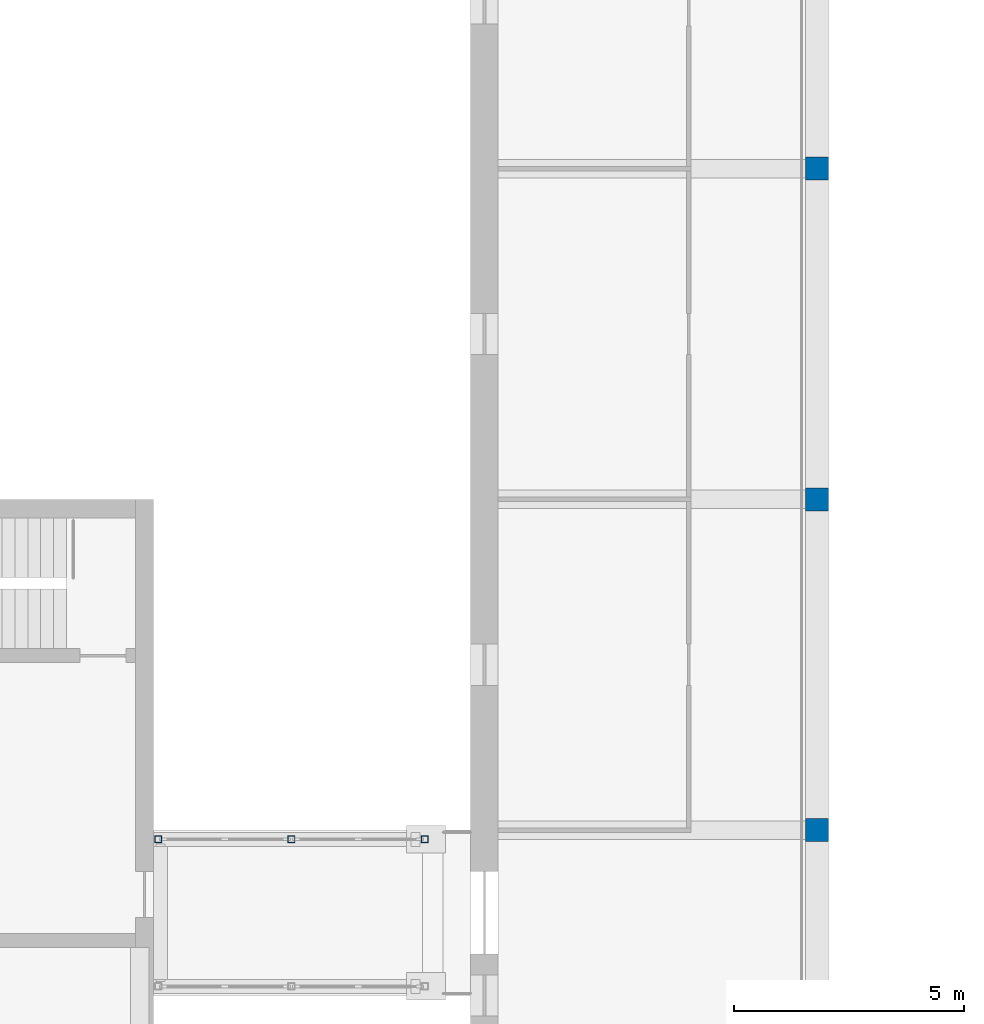
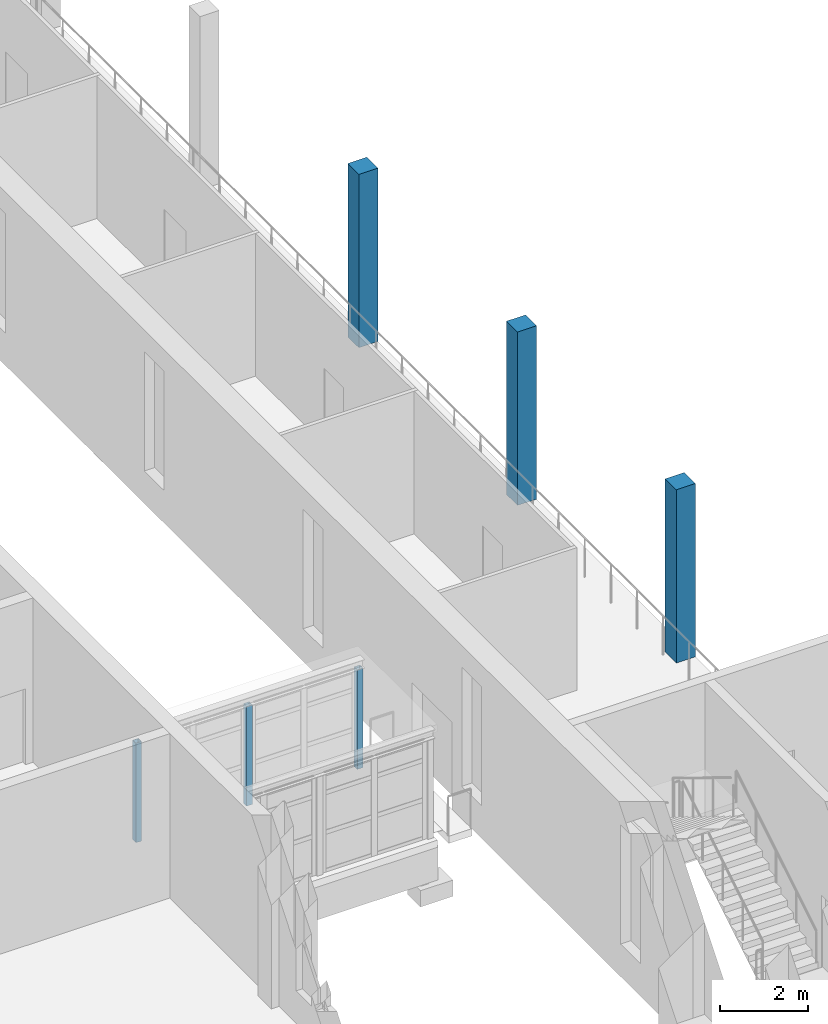
# One storey, part 12 of 131: 6 columns.
"""IFC4 building model written with IfcOpenShell, lengths in metres."""

from ifc_helpers import new_model, si_unit, direction, frame, origin, origin_2d, place, context, subcontext, project, spatial, rectangle, hollow_rectangle, extrude, material, material_profile, profile_set, type_object, element, save


model = new_model("IFC4")

# Units and contexts
model_context = context("Model", 3, precision=1e-05, world=origin(), true_north=direction((0.0, 1.0)))
body_context = subcontext(model_context, "Body", "Model", "MODEL_VIEW")
ifc_project = project(units=[si_unit("LENGTHUNIT", "METRE"), si_unit("AREAUNIT", "SQUARE_METRE"), si_unit("VOLUMEUNIT", "CUBIC_METRE"), si_unit("PLANEANGLEUNIT", "RADIAN"), si_unit("MASSUNIT", "GRAM", prefix="KILO")], contexts=[model_context])

# Site, building, storey
site_placement = place(None, origin())
site = spatial("IfcSite", under=ifc_project, at=site_placement, CompositionType="ELEMENT")
building_placement = place(site_placement, origin())
building = spatial("IfcBuilding", under=site, at=building_placement, Name="Alderwick Market Hall", CompositionType="ELEMENT")
storey_placement = place(building_placement, frame((0.0, 0.0, 4.800048828125)))
storey = spatial("IfcBuildingStorey", under=building, at=storey_placement, Name="L00", CompositionType="ELEMENT", Elevation=4.800048828125)

# Columns
ifc_material_1 = material(Name="Concrete 5000 psi (f'c 35 MPa)", Category="concrete")
ifc_material_profile_1 = material_profile(ifc_material_1, rectangle(XDim=0.5, YDim=0.5, at=origin_2d()), Name="RC 500x500")
ifc_profile_set_1 = profile_set([ifc_material_profile_1], Name="Concrete 5000 psi (f'c 35 MPa)")
column_type_1 = type_object("IfcColumnType", Name="H Column 500x500", PredefinedType="COLUMN", material=ifc_profile_set_1)
for number, where, z_axis, x_axis, name in (
    (1, (57.639892578125, 64.800048828125, 0.0), (0.0, 0.0, 1.0), (1.0, 0.0, 0.0), "Gallery column W23"),
    (2, (57.639892578125, 72.0, 0.0), (0.0, 0.0, 1.0), (1.0, 0.0, 0.0), "Gallery column W24"),
    (3, (57.639892578125, 79.199951171875, 0.0), (0.0, 0.0, 1.0), (1.0, 0.0, 0.0), "Gallery column W25"),
):
    element("IfcColumn", number, at=place(storey_placement, frame(where, z_axis=z_axis, x_axis=x_axis)), inside=storey, type_object=column_type_1, Name=name, PredefinedType="COLUMN", context=body_context, shape_type="SweptSolid", body=[
        extrude(rectangle(XDim=0.5, YDim=0.5, at=origin_2d()), origin(), (0.0, 0.0, 1.0), 4.800048828125),
    ])
ifc_material_2 = material(Name="Steel ASTM A500 Grade C", Category="steel")
ifc_material_profile_2 = material_profile(ifc_material_2, hollow_rectangle(XDim=0.152099609375, YDim=0.152099609375, WallThickness=0.009521484375, at=origin_2d()), Name="HSS152x152x9.5")
ifc_profile_set_2 = profile_set([ifc_material_profile_2], Name="Steel ASTM A500 Grade C")
column_type_2 = type_object("IfcColumnType", Name="P HSS Column 152x152x9.5", PredefinedType="COLUMN", material=ifc_profile_set_2)
for number, where, z_axis, x_axis, name in (
    (4, (43.300048828125, 64.60009765625, 0.0), (0.0, 0.0, 1.0), (1.0, 0.0, 0.0), "P.P6.col.b0"),
    (5, (46.199951171875, 64.60009765625, 0.0), (0.0, 0.0, 1.0), (1.0, 0.0, 0.0), "P.P6.col.b1"),
    (6, (49.10009765625, 64.60009765625, 0.0), (0.0, 0.0, 1.0), (1.0, 0.0, 0.0), "P.P6.col.b2"),
):
    element("IfcColumn", number, at=place(storey_placement, frame(where, z_axis=z_axis, x_axis=x_axis)), inside=storey, type_object=column_type_2, Name=name, PredefinedType="COLUMN", context=body_context, shape_type="SweptSolid", body=[
        extrude(hollow_rectangle(XDim=0.152099609375, YDim=0.152099609375, WallThickness=0.009521484375, at=origin_2d()), origin(), (0.0, 0.0, 1.0), 2.7529296875),
    ])

save(model, "model.ifc")
